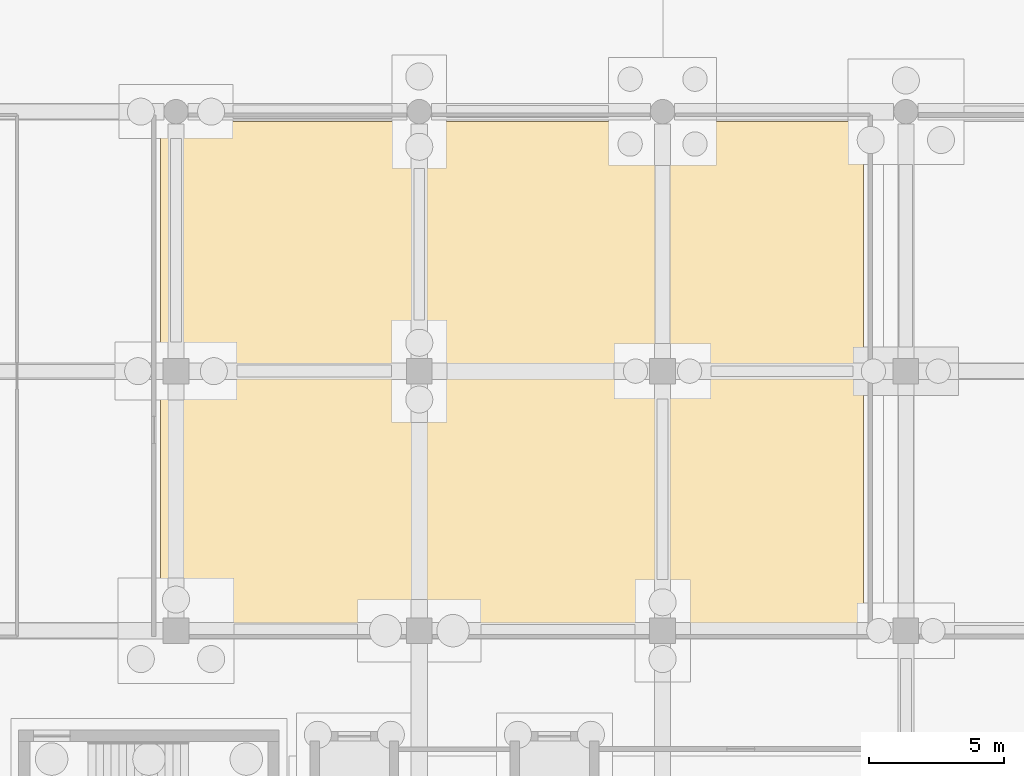
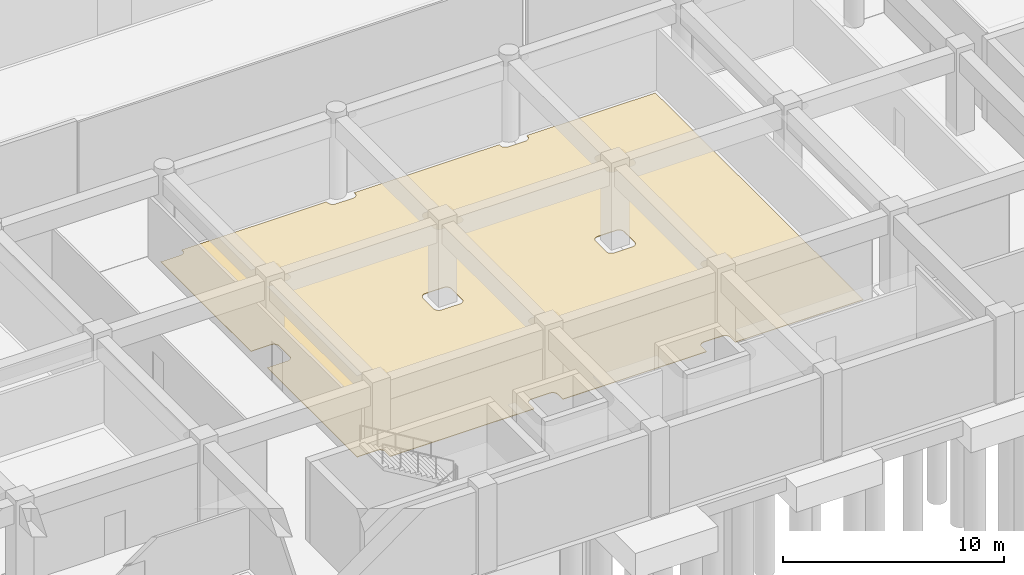
# One storey, part 33 of 47: 1 covering.
"""IFC4 building model written with IfcOpenShell, lengths in metres."""

from ifc_helpers import new_model, si_unit, direction, frame, origin, place, context, subcontext, project, spatial, polyline, outline, extrude, material, layer, layer_set, type_object, element, save


model = new_model("IFC4")

# Units and contexts
model_context = context("Model", 3, precision=1e-05, world=origin(), true_north=direction((0.0, 1.0)))
body_context = subcontext(model_context, "Body", "Model", "MODEL_VIEW")
ifc_project = project(units=[si_unit("LENGTHUNIT", "METRE"), si_unit("AREAUNIT", "SQUARE_METRE"), si_unit("VOLUMEUNIT", "CUBIC_METRE"), si_unit("PLANEANGLEUNIT", "RADIAN"), si_unit("MASSUNIT", "GRAM", prefix="KILO")], contexts=[model_context])

# Site, building, storey
site_placement = place(None, origin())
site = spatial("IfcSite", under=ifc_project, at=site_placement, CompositionType="ELEMENT")
building_placement = place(site_placement, origin())
building = spatial("IfcBuilding", under=site, at=building_placement, Name="Cendralis Terraced Arcade", CompositionType="ELEMENT")
storey_placement = place(building_placement, frame((0.0, 0.0, -4.800048828125)))
storey = spatial("IfcBuildingStorey", under=building, at=storey_placement, Name="B1", CompositionType="ELEMENT", Elevation=-4.800048828125)

# Covering
ifc_material = material(Name="Polished Bogota limestone terrazzo flooring", Category="masonry")
ifc_layer = layer(ifc_material, 0.030029296875, Name="COV-FLR-TERZ-30")
ifc_layer_set = layer_set([ifc_layer], Name="Polished Bogota limestone terrazzo flooring")
covering_type = type_object("IfcCoveringType", Name="COV-FLR-TERZ-30", PredefinedType="FLOORING", material=ifc_layer_set)
covering_placement = place(storey_placement, origin())
element("IfcCovering", 1, at=covering_placement, inside=storey, type_object=covering_type, Name="Interior Finish Flooring B1-012", PredefinedType="FLOORING", context=body_context, shape_type="SweptSolid", body=[
    extrude(outline(polyline([(75.633056640625, 28.071044921875), (75.635009765625, 28.070556640625), (75.658447265625, 28.0634765625), (75.660400390625, 28.06298828125), (75.684326171875, 28.05810546875), (75.686279296875, 28.057861328125), (75.710693359375, 28.055419921875), (75.712646484375, 28.055419921875), (75.72509765625, 28.054931640625), (76.675048828125, 28.054931640625), (76.687255859375, 28.055419921875), (76.689208984375, 28.055419921875), (76.713623046875, 28.057861328125), (76.715576171875, 28.05810546875), (76.739501953125, 28.06298828125), (76.74169921875, 28.0634765625), (76.764892578125, 28.070556640625), (76.766845703125, 28.071044921875), (76.78955078125, 28.08056640625), (76.791259765625, 28.081298828125), (76.81298828125, 28.093017578125), (76.814697265625, 28.093994140625), (76.8349609375, 28.107666015625), (76.836669921875, 28.108642578125), (76.855712890625, 28.124267578125), (76.85693359375, 28.12548828125), (76.87451171875, 28.14306640625), (76.875732421875, 28.144287109375), (76.891357421875, 28.163330078125), (76.892333984375, 28.1650390625), (76.906005859375, 28.185302734375), (76.906982421875, 28.18701171875), (76.918701171875, 28.208740234375), (76.91943359375, 28.21044921875), (76.928955078125, 28.233154296875), (76.929443359375, 28.235107421875), (76.9365234375, 28.25830078125), (76.93701171875, 28.260498046875), (76.94189453125, 28.284423828125), (76.942138671875, 28.286376953125), (76.944580078125, 28.310791015625), (76.944580078125, 28.312744140625), (76.945068359375, 28.324951171875), (76.945068359375, 29.27490234375), (76.944580078125, 29.287353515625), (76.944580078125, 29.289306640625), (76.942138671875, 29.313720703125), (76.94189453125, 29.315673828125), (76.93701171875, 29.339599609375), (76.9365234375, 29.341552734375), (76.929443359375, 29.364990234375), (76.928955078125, 29.366943359375), (76.91943359375, 29.389404296875), (76.918701171875, 29.391357421875), (76.906982421875, 29.4130859375), (76.906005859375, 29.41455078125), (76.892333984375, 29.43505859375), (76.891357421875, 29.4365234375), (76.875732421875, 29.45556640625), (76.87451171875, 29.45703125), (76.85693359375, 29.474365234375), (76.855712890625, 29.4755859375), (76.836669921875, 29.4912109375), (76.8349609375, 29.492431640625), (76.814697265625, 29.506103515625), (76.81298828125, 29.507080078125), (76.791259765625, 29.5185546875), (76.78955078125, 29.51953125), (76.766845703125, 29.52880859375), (76.764892578125, 29.529541015625), (76.74169921875, 29.53662109375), (76.739501953125, 29.537109375), (76.715576171875, 29.5419921875), (76.713623046875, 29.542236328125), (76.689208984375, 29.544677734375), (76.687255859375, 29.544677734375), (76.675048828125, 29.544921875), (75.72509765625, 29.544921875), (75.712646484375, 29.544677734375), (75.710693359375, 29.544677734375), (75.686279296875, 29.542236328125), (75.684326171875, 29.5419921875), (75.660400390625, 29.537109375), (75.658447265625, 29.53662109375), (75.635009765625, 29.529541015625), (75.633056640625, 29.52880859375), (75.6298828125, 29.527587890625), (75.6298828125, 37.708251953125), (75.6337890625, 37.706298828125), (75.635498046875, 37.70556640625), (75.658203125, 37.696044921875), (75.659912109375, 37.695556640625), (75.683349609375, 37.6884765625), (75.685302734375, 37.68798828125), (75.70947265625, 37.68310546875), (75.71142578125, 37.682861328125), (75.73583984375, 37.680419921875), (75.73779296875, 37.680419921875), (75.75, 37.679931640625), (76.64990234375, 37.679931640625), (76.662353515625, 37.680419921875), (76.664306640625, 37.680419921875), (76.688720703125, 37.682861328125), (76.690673828125, 37.68310546875), (76.714599609375, 37.68798828125), (76.716552734375, 37.6884765625), (76.739990234375, 37.695556640625), (76.741943359375, 37.696044921875), (76.764404296875, 37.70556640625), (76.766357421875, 37.706298828125), (76.7880859375, 37.718017578125), (76.78955078125, 37.718994140625), (76.81005859375, 37.732666015625), (76.8115234375, 37.733642578125), (76.83056640625, 37.749267578125), (76.83203125, 37.75048828125), (76.849365234375, 37.76806640625), (76.8505859375, 37.769287109375), (76.8662109375, 37.788330078125), (76.867431640625, 37.7900390625), (76.881103515625, 37.810302734375), (76.882080078125, 37.81201171875), (76.8935546875, 37.833740234375), (76.89453125, 37.83544921875), (76.90380859375, 37.858154296875), (76.904541015625, 37.860107421875), (76.91162109375, 37.88330078125), (76.912109375, 37.885498046875), (76.9169921875, 37.909423828125), (76.917236328125, 37.911376953125), (76.919677734375, 37.935791015625), (76.919677734375, 37.937744140625), (76.919921875, 37.949951171875), (76.919921875, 38.030029296875), (84.47998046875, 38.030029296875), (84.47998046875, 37.949951171875), (84.480224609375, 37.937744140625), (84.48046875, 37.935791015625), (84.48291015625, 37.911376953125), (84.483154296875, 37.909423828125), (84.48779296875, 37.885498046875), (84.48828125, 37.88330078125), (84.49560546875, 37.860107421875), (84.49609375, 37.858154296875), (84.505615234375, 37.83544921875), (84.50634765625, 37.833740234375), (84.517822265625, 37.81201171875), (84.518798828125, 37.810302734375), (84.53271484375, 37.7900390625), (84.53369140625, 37.788330078125), (84.54931640625, 37.769287109375), (84.550537109375, 37.76806640625), (84.568115234375, 37.75048828125), (84.5693359375, 37.749267578125), (84.58837890625, 37.733642578125), (84.590087890625, 37.732666015625), (84.6103515625, 37.718994140625), (84.612060546875, 37.718017578125), (84.6337890625, 37.706298828125), (84.635498046875, 37.70556640625), (84.658203125, 37.696044921875), (84.659912109375, 37.695556640625), (84.683349609375, 37.6884765625), (84.685302734375, 37.68798828125), (84.70947265625, 37.68310546875), (84.71142578125, 37.682861328125), (84.73583984375, 37.680419921875), (84.73779296875, 37.680419921875), (84.75, 37.679931640625), (85.64990234375, 37.679931640625), (85.662353515625, 37.680419921875), (85.664306640625, 37.680419921875), (85.688720703125, 37.682861328125), (85.690673828125, 37.68310546875), (85.714599609375, 37.68798828125), (85.716552734375, 37.6884765625), (85.739990234375, 37.695556640625), (85.741943359375, 37.696044921875), (85.764404296875, 37.70556640625), (85.766357421875, 37.706298828125), (85.7880859375, 37.718017578125), (85.78955078125, 37.718994140625), (85.81005859375, 37.732666015625), (85.8115234375, 37.733642578125), (85.83056640625, 37.749267578125), (85.83203125, 37.75048828125), (85.849365234375, 37.76806640625), (85.8505859375, 37.769287109375), (85.8662109375, 37.788330078125), (85.867431640625, 37.7900390625), (85.881103515625, 37.810302734375), (85.882080078125, 37.81201171875), (85.8935546875, 37.833740234375), (85.89453125, 37.83544921875), (85.90380859375, 37.858154296875), (85.904541015625, 37.860107421875), (85.91162109375, 37.88330078125), (85.912109375, 37.885498046875), (85.9169921875, 37.909423828125), (85.917236328125, 37.911376953125), (85.919677734375, 37.935791015625), (85.919677734375, 37.937744140625), (85.919921875, 37.949951171875), (85.919921875, 38.030029296875), (93.47998046875, 38.030029296875), (93.47998046875, 37.949951171875), (93.480224609375, 37.937744140625), (93.48046875, 37.935791015625), (93.48291015625, 37.911376953125), (93.483154296875, 37.909423828125), (93.48779296875, 37.885498046875), (93.48828125, 37.88330078125), (93.49560546875, 37.860107421875), (93.49609375, 37.858154296875), (93.505615234375, 37.83544921875), (93.50634765625, 37.833740234375), (93.517822265625, 37.81201171875), (93.518798828125, 37.810302734375), (93.53271484375, 37.7900390625), (93.53369140625, 37.788330078125), (93.54931640625, 37.769287109375), (93.550537109375, 37.76806640625), (93.568115234375, 37.75048828125), (93.5693359375, 37.749267578125), (93.58837890625, 37.733642578125), (93.590087890625, 37.732666015625), (93.6103515625, 37.718994140625), (93.612060546875, 37.718017578125), (93.6337890625, 37.706298828125), (93.635498046875, 37.70556640625), (93.658203125, 37.696044921875), (93.659912109375, 37.695556640625), (93.683349609375, 37.6884765625), (93.685302734375, 37.68798828125), (93.70947265625, 37.68310546875), (93.71142578125, 37.682861328125), (93.73583984375, 37.680419921875), (93.73779296875, 37.680419921875), (93.75, 37.679931640625), (94.64990234375, 37.679931640625), (94.662353515625, 37.680419921875), (94.664306640625, 37.680419921875), (94.688720703125, 37.682861328125), (94.690673828125, 37.68310546875), (94.714599609375, 37.68798828125), (94.716552734375, 37.6884765625), (94.739990234375, 37.695556640625), (94.741943359375, 37.696044921875), (94.764404296875, 37.70556640625), (94.766357421875, 37.706298828125), (94.7880859375, 37.718017578125), (94.78955078125, 37.718994140625), (94.81005859375, 37.732666015625), (94.8115234375, 37.733642578125), (94.83056640625, 37.749267578125), (94.83203125, 37.75048828125), (94.849365234375, 37.76806640625), (94.8505859375, 37.769287109375), (94.8662109375, 37.788330078125), (94.867431640625, 37.7900390625), (94.881103515625, 37.810302734375), (94.882080078125, 37.81201171875), (94.8935546875, 37.833740234375), (94.89453125, 37.83544921875), (94.90380859375, 37.858154296875), (94.904541015625, 37.860107421875), (94.91162109375, 37.88330078125), (94.912109375, 37.885498046875), (94.9169921875, 37.909423828125), (94.917236328125, 37.911376953125), (94.919677734375, 37.935791015625), (94.919677734375, 37.937744140625), (94.919921875, 37.949951171875), (94.919921875, 38.030029296875), (101.6298828125, 38.030029296875), (101.6298828125, 19.22998046875), (94.945068359375, 19.22998046875), (94.945068359375, 19.675048828125), (94.944580078125, 19.687255859375), (94.944580078125, 19.689208984375), (94.942138671875, 19.713623046875), (94.94189453125, 19.715576171875), (94.93701171875, 19.739501953125), (94.9365234375, 19.74169921875), (94.929443359375, 19.764892578125), (94.928955078125, 19.766845703125), (94.91943359375, 19.78955078125), (94.918701171875, 19.791259765625), (94.906982421875, 19.81298828125), (94.906005859375, 19.814697265625), (94.892333984375, 19.8349609375), (94.891357421875, 19.836669921875), (94.875732421875, 19.855712890625), (94.87451171875, 19.85693359375), (94.85693359375, 19.87451171875), (94.855712890625, 19.875732421875), (94.836669921875, 19.891357421875), (94.8349609375, 19.892333984375), (94.814697265625, 19.906005859375), (94.81298828125, 19.906982421875), (94.791259765625, 19.918701171875), (94.78955078125, 19.91943359375), (94.766845703125, 19.928955078125), (94.764892578125, 19.929443359375), (94.74169921875, 19.9365234375), (94.739501953125, 19.93701171875), (94.715576171875, 19.94189453125), (94.713623046875, 19.942138671875), (94.689208984375, 19.944580078125), (94.687255859375, 19.944580078125), (94.675048828125, 19.945068359375), (93.72509765625, 19.945068359375), (93.712646484375, 19.944580078125), (93.710693359375, 19.944580078125), (93.686279296875, 19.942138671875), (93.684326171875, 19.94189453125), (93.660400390625, 19.93701171875), (93.658447265625, 19.9365234375), (93.635009765625, 19.929443359375), (93.633056640625, 19.928955078125), (93.610595703125, 19.91943359375), (93.608642578125, 19.918701171875), (93.5869140625, 19.906982421875), (93.58544921875, 19.906005859375), (93.56494140625, 19.892333984375), (93.5634765625, 19.891357421875), (93.54443359375, 19.875732421875), (93.54296875, 19.87451171875), (93.525634765625, 19.85693359375), (93.5244140625, 19.855712890625), (93.5087890625, 19.836669921875), (93.507568359375, 19.8349609375), (93.493896484375, 19.814697265625), (93.492919921875, 19.81298828125), (93.4814453125, 19.791259765625), (93.48046875, 19.78955078125), (93.47119140625, 19.766845703125), (93.470458984375, 19.764892578125), (93.46337890625, 19.74169921875), (93.462890625, 19.739501953125), (93.4580078125, 19.715576171875), (93.457763671875, 19.713623046875), (93.455322265625, 19.689208984375), (93.455322265625, 19.687255859375), (93.455078125, 19.675048828125), (93.455078125, 19.22998046875), (85.945068359375, 19.22998046875), (85.945068359375, 19.675048828125), (85.944580078125, 19.687255859375), (85.944580078125, 19.689208984375), (85.942138671875, 19.713623046875), (85.94189453125, 19.715576171875), (85.93701171875, 19.739501953125), (85.9365234375, 19.74169921875), (85.929443359375, 19.764892578125), (85.928955078125, 19.766845703125), (85.91943359375, 19.78955078125), (85.918701171875, 19.791259765625), (85.906982421875, 19.81298828125), (85.906005859375, 19.814697265625), (85.892333984375, 19.8349609375), (85.891357421875, 19.836669921875), (85.875732421875, 19.855712890625), (85.87451171875, 19.85693359375), (85.85693359375, 19.87451171875), (85.855712890625, 19.875732421875), (85.836669921875, 19.891357421875), (85.8349609375, 19.892333984375), (85.814697265625, 19.906005859375), (85.81298828125, 19.906982421875), (85.791259765625, 19.918701171875), (85.78955078125, 19.91943359375), (85.766845703125, 19.928955078125), (85.764892578125, 19.929443359375), (85.74169921875, 19.9365234375), (85.739501953125, 19.93701171875), (85.715576171875, 19.94189453125), (85.713623046875, 19.942138671875), (85.689208984375, 19.944580078125), (85.687255859375, 19.944580078125), (85.675048828125, 19.945068359375), (84.72509765625, 19.945068359375), (84.712646484375, 19.944580078125), (84.710693359375, 19.944580078125), (84.686279296875, 19.942138671875), (84.684326171875, 19.94189453125), (84.660400390625, 19.93701171875), (84.658447265625, 19.9365234375), (84.635009765625, 19.929443359375), (84.633056640625, 19.928955078125), (84.610595703125, 19.91943359375), (84.608642578125, 19.918701171875), (84.5869140625, 19.906982421875), (84.58544921875, 19.906005859375), (84.56494140625, 19.892333984375), (84.5634765625, 19.891357421875), (84.54443359375, 19.875732421875), (84.54296875, 19.87451171875), (84.525634765625, 19.85693359375), (84.5244140625, 19.855712890625), (84.5087890625, 19.836669921875), (84.507568359375, 19.8349609375), (84.493896484375, 19.814697265625), (84.492919921875, 19.81298828125), (84.4814453125, 19.791259765625), (84.48046875, 19.78955078125), (84.47119140625, 19.766845703125), (84.470458984375, 19.764892578125), (84.46337890625, 19.74169921875), (84.462890625, 19.739501953125), (84.4580078125, 19.715576171875), (84.457763671875, 19.713623046875), (84.455322265625, 19.689208984375), (84.455322265625, 19.687255859375), (84.455078125, 19.675048828125), (84.455078125, 19.22998046875), (76.945068359375, 19.22998046875), (76.945068359375, 19.675048828125), (76.944580078125, 19.687255859375), (76.944580078125, 19.689208984375), (76.942138671875, 19.713623046875), (76.94189453125, 19.715576171875), (76.93701171875, 19.739501953125), (76.9365234375, 19.74169921875), (76.929443359375, 19.764892578125), (76.928955078125, 19.766845703125), (76.91943359375, 19.78955078125), (76.918701171875, 19.791259765625), (76.906982421875, 19.81298828125), (76.906005859375, 19.814697265625), (76.892333984375, 19.8349609375), (76.891357421875, 19.836669921875), (76.875732421875, 19.855712890625), (76.87451171875, 19.85693359375), (76.85693359375, 19.87451171875), (76.855712890625, 19.875732421875), (76.836669921875, 19.891357421875), (76.8349609375, 19.892333984375), (76.814697265625, 19.906005859375), (76.81298828125, 19.906982421875), (76.791259765625, 19.918701171875), (76.78955078125, 19.91943359375), (76.766845703125, 19.928955078125), (76.764892578125, 19.929443359375), (76.74169921875, 19.9365234375), (76.739501953125, 19.93701171875), (76.715576171875, 19.94189453125), (76.713623046875, 19.942138671875), (76.689208984375, 19.944580078125), (76.687255859375, 19.944580078125), (76.675048828125, 19.945068359375), (75.72509765625, 19.945068359375), (75.712646484375, 19.944580078125), (75.710693359375, 19.944580078125), (75.686279296875, 19.942138671875), (75.684326171875, 19.94189453125), (75.660400390625, 19.93701171875), (75.658447265625, 19.9365234375), (75.635009765625, 19.929443359375), (75.633056640625, 19.928955078125), (75.6298828125, 19.927490234375), (75.6298828125, 28.072509765625), (75.633056640625, 28.071044921875)]), holes=[polyline([(93.608642578125, 28.081298828125), (93.610595703125, 28.08056640625), (93.633056640625, 28.071044921875), (93.635009765625, 28.070556640625), (93.658447265625, 28.0634765625), (93.660400390625, 28.06298828125), (93.684326171875, 28.05810546875), (93.686279296875, 28.057861328125), (93.710693359375, 28.055419921875), (93.712646484375, 28.055419921875), (93.72509765625, 28.054931640625), (94.675048828125, 28.054931640625), (94.687255859375, 28.055419921875), (94.689208984375, 28.055419921875), (94.713623046875, 28.057861328125), (94.715576171875, 28.05810546875), (94.739501953125, 28.06298828125), (94.74169921875, 28.0634765625), (94.764892578125, 28.070556640625), (94.766845703125, 28.071044921875), (94.78955078125, 28.08056640625), (94.791259765625, 28.081298828125), (94.81298828125, 28.093017578125), (94.814697265625, 28.093994140625), (94.8349609375, 28.107666015625), (94.836669921875, 28.108642578125), (94.855712890625, 28.124267578125), (94.85693359375, 28.12548828125), (94.87451171875, 28.14306640625), (94.875732421875, 28.144287109375), (94.891357421875, 28.163330078125), (94.892333984375, 28.1650390625), (94.906005859375, 28.185302734375), (94.906982421875, 28.18701171875), (94.918701171875, 28.208740234375), (94.91943359375, 28.21044921875), (94.928955078125, 28.233154296875), (94.929443359375, 28.235107421875), (94.9365234375, 28.25830078125), (94.93701171875, 28.260498046875), (94.94189453125, 28.284423828125), (94.942138671875, 28.286376953125), (94.944580078125, 28.310791015625), (94.944580078125, 28.312744140625), (94.945068359375, 28.324951171875), (94.945068359375, 29.27490234375), (94.944580078125, 29.287353515625), (94.944580078125, 29.289306640625), (94.942138671875, 29.313720703125), (94.94189453125, 29.315673828125), (94.93701171875, 29.339599609375), (94.9365234375, 29.341552734375), (94.929443359375, 29.364990234375), (94.928955078125, 29.366943359375), (94.91943359375, 29.389404296875), (94.918701171875, 29.391357421875), (94.906982421875, 29.4130859375), (94.906005859375, 29.41455078125), (94.892333984375, 29.43505859375), (94.891357421875, 29.4365234375), (94.875732421875, 29.45556640625), (94.87451171875, 29.45703125), (94.85693359375, 29.474365234375), (94.855712890625, 29.4755859375), (94.836669921875, 29.4912109375), (94.8349609375, 29.492431640625), (94.814697265625, 29.506103515625), (94.81298828125, 29.507080078125), (94.791259765625, 29.5185546875), (94.78955078125, 29.51953125), (94.766845703125, 29.52880859375), (94.764892578125, 29.529541015625), (94.74169921875, 29.53662109375), (94.739501953125, 29.537109375), (94.715576171875, 29.5419921875), (94.713623046875, 29.542236328125), (94.689208984375, 29.544677734375), (94.687255859375, 29.544677734375), (94.675048828125, 29.544921875), (93.72509765625, 29.544921875), (93.712646484375, 29.544677734375), (93.710693359375, 29.544677734375), (93.686279296875, 29.542236328125), (93.684326171875, 29.5419921875), (93.660400390625, 29.537109375), (93.658447265625, 29.53662109375), (93.635009765625, 29.529541015625), (93.633056640625, 29.52880859375), (93.610595703125, 29.51953125), (93.608642578125, 29.5185546875), (93.5869140625, 29.507080078125), (93.58544921875, 29.506103515625), (93.56494140625, 29.492431640625), (93.5634765625, 29.4912109375), (93.54443359375, 29.4755859375), (93.54296875, 29.474365234375), (93.525634765625, 29.45703125), (93.5244140625, 29.45556640625), (93.5087890625, 29.4365234375), (93.507568359375, 29.43505859375), (93.493896484375, 29.41455078125), (93.492919921875, 29.4130859375), (93.4814453125, 29.391357421875), (93.48046875, 29.389404296875), (93.47119140625, 29.366943359375), (93.470458984375, 29.364990234375), (93.46337890625, 29.341552734375), (93.462890625, 29.339599609375), (93.4580078125, 29.315673828125), (93.457763671875, 29.313720703125), (93.455322265625, 29.289306640625), (93.455322265625, 29.287353515625), (93.455078125, 29.27490234375), (93.455078125, 28.324951171875), (93.455322265625, 28.312744140625), (93.455322265625, 28.310791015625), (93.457763671875, 28.286376953125), (93.4580078125, 28.284423828125), (93.462890625, 28.260498046875), (93.46337890625, 28.25830078125), (93.470458984375, 28.235107421875), (93.47119140625, 28.233154296875), (93.48046875, 28.21044921875), (93.4814453125, 28.208740234375), (93.492919921875, 28.18701171875), (93.493896484375, 28.185302734375), (93.507568359375, 28.1650390625), (93.5087890625, 28.163330078125), (93.5244140625, 28.144287109375), (93.525634765625, 28.14306640625), (93.54296875, 28.12548828125), (93.54443359375, 28.124267578125), (93.5634765625, 28.108642578125), (93.56494140625, 28.107666015625), (93.58544921875, 28.093994140625), (93.5869140625, 28.093017578125), (93.608642578125, 28.081298828125)]), polyline([(84.608642578125, 28.081298828125), (84.610595703125, 28.08056640625), (84.633056640625, 28.071044921875), (84.635009765625, 28.070556640625), (84.658447265625, 28.0634765625), (84.660400390625, 28.06298828125), (84.684326171875, 28.05810546875), (84.686279296875, 28.057861328125), (84.710693359375, 28.055419921875), (84.712646484375, 28.055419921875), (84.72509765625, 28.054931640625), (85.675048828125, 28.054931640625), (85.687255859375, 28.055419921875), (85.689208984375, 28.055419921875), (85.713623046875, 28.057861328125), (85.715576171875, 28.05810546875), (85.739501953125, 28.06298828125), (85.74169921875, 28.0634765625), (85.764892578125, 28.070556640625), (85.766845703125, 28.071044921875), (85.78955078125, 28.08056640625), (85.791259765625, 28.081298828125), (85.81298828125, 28.093017578125), (85.814697265625, 28.093994140625), (85.8349609375, 28.107666015625), (85.836669921875, 28.108642578125), (85.855712890625, 28.124267578125), (85.85693359375, 28.12548828125), (85.87451171875, 28.14306640625), (85.875732421875, 28.144287109375), (85.891357421875, 28.163330078125), (85.892333984375, 28.1650390625), (85.906005859375, 28.185302734375), (85.906982421875, 28.18701171875), (85.918701171875, 28.208740234375), (85.91943359375, 28.21044921875), (85.928955078125, 28.233154296875), (85.929443359375, 28.235107421875), (85.9365234375, 28.25830078125), (85.93701171875, 28.260498046875), (85.94189453125, 28.284423828125), (85.942138671875, 28.286376953125), (85.944580078125, 28.310791015625), (85.944580078125, 28.312744140625), (85.945068359375, 28.324951171875), (85.945068359375, 29.27490234375), (85.944580078125, 29.287353515625), (85.944580078125, 29.289306640625), (85.942138671875, 29.313720703125), (85.94189453125, 29.315673828125), (85.93701171875, 29.339599609375), (85.9365234375, 29.341552734375), (85.929443359375, 29.364990234375), (85.928955078125, 29.366943359375), (85.91943359375, 29.389404296875), (85.918701171875, 29.391357421875), (85.906982421875, 29.4130859375), (85.906005859375, 29.41455078125), (85.892333984375, 29.43505859375), (85.891357421875, 29.4365234375), (85.875732421875, 29.45556640625), (85.87451171875, 29.45703125), (85.85693359375, 29.474365234375), (85.855712890625, 29.4755859375), (85.836669921875, 29.4912109375), (85.8349609375, 29.492431640625), (85.814697265625, 29.506103515625), (85.81298828125, 29.507080078125), (85.791259765625, 29.5185546875), (85.78955078125, 29.51953125), (85.766845703125, 29.52880859375), (85.764892578125, 29.529541015625), (85.74169921875, 29.53662109375), (85.739501953125, 29.537109375), (85.715576171875, 29.5419921875), (85.713623046875, 29.542236328125), (85.689208984375, 29.544677734375), (85.687255859375, 29.544677734375), (85.675048828125, 29.544921875), (84.72509765625, 29.544921875), (84.712646484375, 29.544677734375), (84.710693359375, 29.544677734375), (84.686279296875, 29.542236328125), (84.684326171875, 29.5419921875), (84.660400390625, 29.537109375), (84.658447265625, 29.53662109375), (84.635009765625, 29.529541015625), (84.633056640625, 29.52880859375), (84.610595703125, 29.51953125), (84.608642578125, 29.5185546875), (84.5869140625, 29.507080078125), (84.58544921875, 29.506103515625), (84.56494140625, 29.492431640625), (84.5634765625, 29.4912109375), (84.54443359375, 29.4755859375), (84.54296875, 29.474365234375), (84.525634765625, 29.45703125), (84.5244140625, 29.45556640625), (84.5087890625, 29.4365234375), (84.507568359375, 29.43505859375), (84.493896484375, 29.41455078125), (84.492919921875, 29.4130859375), (84.4814453125, 29.391357421875), (84.48046875, 29.389404296875), (84.47119140625, 29.366943359375), (84.470458984375, 29.364990234375), (84.46337890625, 29.341552734375), (84.462890625, 29.339599609375), (84.4580078125, 29.315673828125), (84.457763671875, 29.313720703125), (84.455322265625, 29.289306640625), (84.455322265625, 29.287353515625), (84.455078125, 29.27490234375), (84.455078125, 28.324951171875), (84.455322265625, 28.312744140625), (84.455322265625, 28.310791015625), (84.457763671875, 28.286376953125), (84.4580078125, 28.284423828125), (84.462890625, 28.260498046875), (84.46337890625, 28.25830078125), (84.470458984375, 28.235107421875), (84.47119140625, 28.233154296875), (84.48046875, 28.21044921875), (84.4814453125, 28.208740234375), (84.492919921875, 28.18701171875), (84.493896484375, 28.185302734375), (84.507568359375, 28.1650390625), (84.5087890625, 28.163330078125), (84.5244140625, 28.144287109375), (84.525634765625, 28.14306640625), (84.54296875, 28.12548828125), (84.54443359375, 28.124267578125), (84.5634765625, 28.108642578125), (84.56494140625, 28.107666015625), (84.58544921875, 28.093994140625), (84.5869140625, 28.093017578125), (84.608642578125, 28.081298828125)])]), origin(), (0.0, 0.0, 1.0), 0.030029296875),
])

save(model, "model.ifc")
